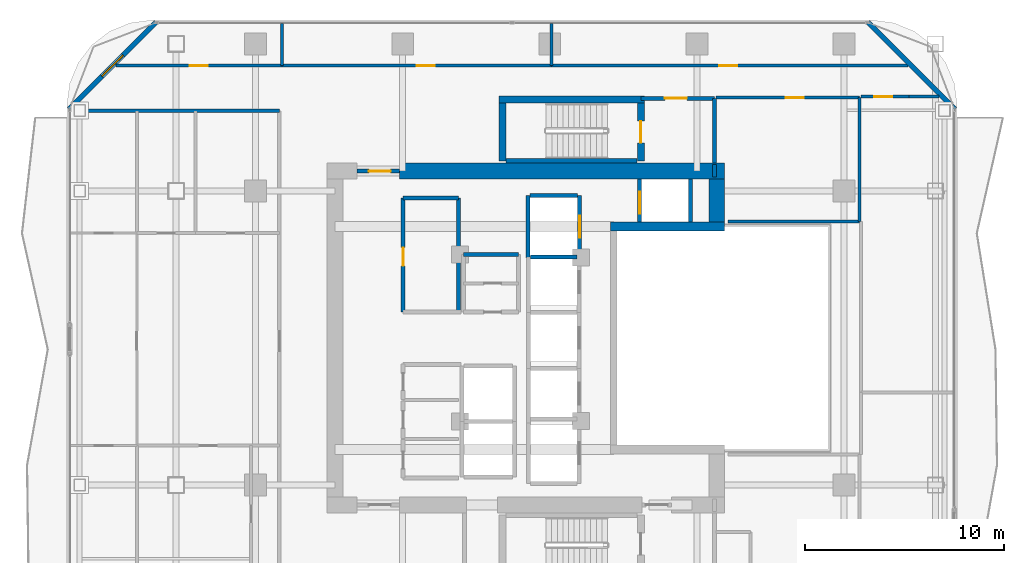
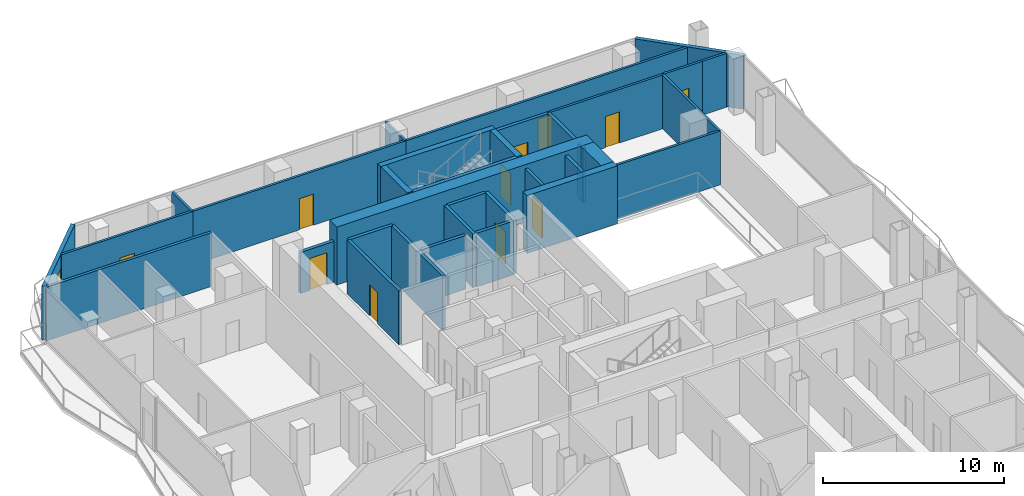
# One storey, part 20 of 24: 34 walls, 11 doors, 1 window, 12 openings.
"""IFC4 building model written with IfcOpenShell, lengths in metres."""

from ifc_helpers import new_model, si_unit, direction, frame, frame_2d, origin, place, context, subcontext, project, spatial, rectangle, extrude, material, layer, layer_set, type_object, element, fill, save


model = new_model("IFC4")

# Units and contexts
model_context = context("Model", 3, precision=1e-05, world=origin(), true_north=direction((0.0, 1.0)))
body_context = subcontext(model_context, "Body", "Model", "MODEL_VIEW")
ifc_project = project(units=[si_unit("LENGTHUNIT", "METRE"), si_unit("AREAUNIT", "SQUARE_METRE"), si_unit("VOLUMEUNIT", "CUBIC_METRE"), si_unit("PLANEANGLEUNIT", "RADIAN"), si_unit("MASSUNIT", "GRAM", prefix="KILO")], contexts=[model_context])

# Site, building, storey
site_placement = place(None, origin())
site = spatial("IfcSite", under=ifc_project, at=site_placement, CompositionType="ELEMENT")
building_placement = place(site_placement, origin())
building = spatial("IfcBuilding", under=site, at=building_placement, Name="Khorvyn Point Tower", CompositionType="ELEMENT")
storey_placement = place(building_placement, frame((0.0, 0.0, 215.699951171875)))
storey = spatial("IfcBuildingStorey", under=building, at=storey_placement, Name="L53", CompositionType="ELEMENT", Elevation=215.699951171875)

# Wall
ifc_material_1 = material(Name="Double acoustic gypsum on twin steel stud", Category="steel")
ifc_layer_1 = layer(ifc_material_1, 0.179931640625)
ifc_layer_set_1 = layer_set([ifc_layer_1], Name="Acoustic Double-Stud Apartment Demising Wall 180")
wall_type_1 = type_object("IfcWallType", Name="Acoustic Double-Stud Apartment Demising Wall 180", PredefinedType="PARTITIONING", material=ifc_layer_set_1)
wall_1_placement = place(storey_placement, frame((-24.1298828125, 11.429931640625, 0.0), z_axis=(0.0, 0.0, 1.0), x_axis=(1.0, 0.0, 0.0)))
element("IfcWall", 1, at=wall_1_placement, inside=storey, type_object=wall_type_1, Name="Wall", PredefinedType="PARTITIONING", context=body_context, shape_type="SweptSolid", body=[
    extrude(rectangle(XDim=10.52978515625, YDim=0.179931640625, at=frame_2d((5.264892578125, 0.0))), origin(), (0.0, 0.0, 1.0), 3.6201171875),
])

# Wall, opening, window
ifc_material_2 = material(Name="Pale anodised aluminium rainscreen on steel stud", Category="steel")
ifc_layer_2 = layer(ifc_material_2, 0.239990234375)
ifc_layer_set_2 = layer_set([ifc_layer_2], Name="Anodised Aluminium Insulated Corner Spandrel Wall 240")
wall_type_2 = type_object("IfcWallType", Name="Anodised Aluminium Insulated Corner Spandrel Wall 240", PredefinedType="SOLIDWALL", material=ifc_layer_set_2)
wall_2_placement = place(storey_placement, frame((-24.1923828125, 11.507568359375, 0.0), z_axis=(0.0, 0.0, 1.0), x_axis=(0.707106781187, 0.707106781187, 0.0)))
wall_2 = element("IfcWall", 2, at=wall_2_placement, inside=storey, type_object=wall_type_2, Name="L53 Rounded Corner Wall NW", PredefinedType="SOLIDWALL", context=body_context, shape_type="SweptSolid", body=[
    extrude(rectangle(XDim=6.200927734375, YDim=0.239990234375, at=frame_2d((3.1005859375, 0.0))), origin(), (0.0, 0.0, 1.0), 3.6201171875),
])
opening_1_placement = place(wall_2_placement, frame((2.3505859375, 0.0, 0.800048828125)))
opening_1 = element("IfcOpeningElement", 3, at=opening_1_placement, cuts=wall_2, Name="Opening WN-1518", PredefinedType="OPENING", context=body_context, shape_type="SweptSolid", body=[
    extrude(rectangle(XDim=1.5, YDim=1.85009765625, at=frame_2d((0.75, 0.925048828125))), frame((0.0, 0.1298828125, 0.0), z_axis=(0.0, -1.0, 0.0), x_axis=(1.0, 0.0, 0.0)), (0.0, 0.0, 1.0), 0.260009765625),
])
ifc_material_3 = material(Name="Anodised aluminium 6063-T6 and laminated Low-E glass", Category="aluminium")
window_type = type_object("IfcWindowType", Name="Anodised Aluminium Rounded-Corner Panoramic Window 1500x1850", PartitioningType="SINGLE_PANEL", PredefinedType="WINDOW", material=ifc_material_3)
window_placement = place(opening_1_placement, origin())
window = element("IfcWindow", 4, at=window_placement, inside=storey, type_object=window_type, Name="L53 Corner Panoramic Window NW", OverallHeight=1.85009765625, OverallWidth=1.5, PartitioningType="SINGLE_PANEL", PredefinedType="WINDOW", context=body_context, shape_type="SweptSolid", body=[
    extrude(rectangle(XDim=1.5, YDim=1.85009765625, at=frame_2d((0.75, 0.925048828125))), frame((0.0, 0.030029296875, 0.0), z_axis=(0.0, -1.0, 0.0), x_axis=(1.0, 0.0, 0.0)), (0.0, 0.0, 1.0), 0.06005859375),
])
fill(opening_1, window)

# Walls
wall_3_placement = place(storey_placement, frame((16.007568359375, 15.892333984375, 0.0), z_axis=(0.0, 0.0, 1.0), x_axis=(0.707106781187, -0.707106781187, 0.0)))
element("IfcWall", 5, at=wall_3_placement, inside=storey, type_object=wall_type_2, Name="L53 Rounded Corner Wall NE", PredefinedType="SOLIDWALL", context=body_context, shape_type="SweptSolid", body=[
    extrude(rectangle(XDim=6.200927734375, YDim=0.239990234375, at=frame_2d((3.1005859375, 0.0))), origin(), (0.0, 0.0, 1.0), 3.6201171875),
])
ifc_material_4 = material(Name="Concrete C40/50", Category="concrete")
ifc_layer_3 = layer(ifc_material_4, 0.449951171875)
ifc_layer_set_3 = layer_set([ifc_layer_3], Name="Concrete C40/50 Core Shear Wall 450")
wall_type_3 = type_object("IfcWallType", Name="Concrete C40/50 Core Shear Wall 450", PredefinedType="SHEAR", material=ifc_layer_set_3)
wall_4_placement = place(storey_placement, frame((3.044921875, 5.60009765625, 0.0), z_axis=(0.0, 0.0, 1.0), x_axis=(1.0, 0.0, 0.0)))
element("IfcWall", 6, at=wall_4_placement, inside=storey, type_object=wall_type_3, Name="Wall", PredefinedType="SHEAR", context=body_context, shape_type="SweptSolid", body=[
    extrude(rectangle(XDim=5.755126953125, YDim=0.449951171875, at=frame_2d((2.87744140625, 0.0))), origin(), (0.0, 0.0, 1.0), 3.900146484375),
])

# Wall, opening, door
ifc_layer_4 = layer(ifc_material_4, 0.199951171875)
ifc_layer_set_4 = layer_set([ifc_layer_4], Name="Concrete C40/50 Fire-Lobby Compartment Wall 200")
wall_type_4 = type_object("IfcWallType", Name="Concrete C40/50 Fire-Lobby Compartment Wall 200", PredefinedType="SOLIDWALL", material=ifc_layer_set_4)
wall_5_placement = place(storey_placement, frame((4.580078125, 12.06005859375, 0.0), z_axis=(0.0, 0.0, 1.0), x_axis=(1.0, 0.0, 0.0)))
wall_5 = element("IfcWall", 7, at=wall_5_placement, inside=storey, type_object=wall_type_4, Name="Wall", PredefinedType="SOLIDWALL", context=body_context, shape_type="SweptSolid", body=[
    extrude(rectangle(XDim=3.699951171875, YDim=0.199951171875, at=frame_2d((1.85009765625, 0.0))), origin(), (0.0, 0.0, 1.0), 3.6201171875),
])
opening_2_placement = place(wall_5_placement, frame((1.21240234375, 0.0, 0.0)))
opening_2 = element("IfcOpeningElement", 8, at=opening_2_placement, cuts=wall_5, Name="Opening ID-FL90", PredefinedType="OPENING", context=body_context, shape_type="SweptSolid", body=[
    extrude(rectangle(XDim=1.10009765625, YDim=2.14990234375, at=frame_2d((0.550048828125, 1.074951171875))), frame((0.0, 0.10986328125, 0.0), z_axis=(0.0, -1.0, 0.0), x_axis=(1.0, 0.0, 0.0)), (0.0, 0.0, 1.0), 0.219970703125),
])
ifc_material_5 = material(Name="Galvanised powder-coated steel", Category="steel")
door_type_1 = type_object("IfcDoorType", Name="Fire-Rated Steel Lobby and Stair Door 1100x2150", OperationType="NOTDEFINED", PredefinedType="DOOR", material=ifc_material_5)
door_1_placement = place(opening_2_placement, origin())
door_1 = element("IfcDoor", 9, at=door_1_placement, inside=storey, type_object=door_type_1, Name="Door", OperationType="SINGLE_SWING_LEFT", OverallHeight=2.14990234375, OverallWidth=1.10009765625, PredefinedType="DOOR", context=body_context, shape_type="SweptSolid", body=[
    extrude(rectangle(XDim=1.10009765625, YDim=2.14990234375, at=frame_2d((0.550048828125, 1.074951171875))), frame((0.0, 0.02490234375, 0.0), z_axis=(0.0, -1.0, 0.0), x_axis=(1.0, 0.0, 0.0)), (0.0, 0.0, 1.0), 0.050048828125),
])
fill(opening_2, door_1)

wall_6_placement = place(storey_placement, frame((-9.699951171875, 8.39990234375, 0.0), z_axis=(0.0, 0.0, 1.0), x_axis=(1.0, 0.0, 0.0)))
wall_6 = element("IfcWall", 10, at=wall_6_placement, inside=storey, type_object=wall_type_4, Name="Wall", PredefinedType="SOLIDWALL", context=body_context, shape_type="SweptSolid", body=[
    extrude(rectangle(XDim=2.14990234375, YDim=0.199951171875, at=frame_2d((1.074951171875, 0.0))), origin(), (0.0, 0.0, 1.0), 2.760009765625),
])
opening_3_placement = place(wall_6_placement, frame((0.597900390625, 0.0, 0.0)))
opening_3 = element("IfcOpeningElement", 11, at=opening_3_placement, cuts=wall_6, Name="Opening ID-FL90", PredefinedType="OPENING", context=body_context, shape_type="SweptSolid", body=[
    extrude(rectangle(XDim=1.10009765625, YDim=2.14990234375, at=frame_2d((0.550048828125, 1.074951171875))), frame((0.0, 0.10986328125, 0.0), z_axis=(0.0, -1.0, 0.0), x_axis=(1.0, 0.0, 0.0)), (0.0, 0.0, 1.0), 0.219970703125),
])
door_2_placement = place(opening_3_placement, origin())
door_2 = element("IfcDoor", 12, at=door_2_placement, inside=storey, type_object=door_type_1, Name="Door", OperationType="SINGLE_SWING_LEFT", OverallHeight=2.14990234375, OverallWidth=1.10009765625, PredefinedType="DOOR", context=body_context, shape_type="SweptSolid", body=[
    extrude(rectangle(XDim=1.10009765625, YDim=2.14990234375, at=frame_2d((0.550048828125, 1.074951171875))), frame((0.0, 0.02490234375, 0.0), z_axis=(0.0, -1.0, 0.0), x_axis=(1.0, 0.0, 0.0)), (0.0, 0.0, 1.0), 0.050048828125),
])
fill(opening_3, door_2)

wall_7_placement = place(storey_placement, frame((-7.3798828125, 1.320068359375, 0.0), z_axis=(0.0, 0.0, 1.0), x_axis=(0.0, 1.0, 0.0)))
wall_7 = element("IfcWall", 13, at=wall_7_placement, inside=storey, type_object=wall_type_4, Name="Wall", PredefinedType="SOLIDWALL", context=body_context, shape_type="SweptSolid", body=[
    extrude(rectangle(XDim=5.719970703125, YDim=0.199951171875, at=frame_2d((2.85986328125, 0.0))), origin(), (0.0, 0.0, 1.0), 3.6201171875),
])
opening_4_placement = place(wall_7_placement, frame((2.310302734375, 0.0, 0.0)))
opening_4 = element("IfcOpeningElement", 14, at=opening_4_placement, cuts=wall_7, Name="Opening ID-RS60", PredefinedType="OPENING", context=body_context, shape_type="SweptSolid", body=[
    extrude(rectangle(XDim=0.919921875, YDim=2.10009765625, at=frame_2d((0.4599609375, 1.050048828125))), frame((0.0, 0.10986328125, 0.0), z_axis=(0.0, -1.0, 0.0), x_axis=(1.0, 0.0, 0.0)), (0.0, 0.0, 1.0), 0.219970703125),
])
door_type_2 = type_object("IfcDoorType", Name="Fire-Rated Riser and Store Steel Door 920x2100", OperationType="NOTDEFINED", PredefinedType="DOOR", material=ifc_material_5)
door_3_placement = place(opening_4_placement, origin())
door_3 = element("IfcDoor", 15, at=door_3_placement, inside=storey, type_object=door_type_2, Name="Door", OperationType="SINGLE_SWING_RIGHT", OverallHeight=2.10009765625, OverallWidth=0.919921875, PredefinedType="DOOR", context=body_context, shape_type="SweptSolid", body=[
    extrude(rectangle(XDim=0.919921875, YDim=2.10009765625, at=frame_2d((0.4599609375, 1.050048828125))), frame((0.0, 0.02490234375, 0.0), z_axis=(0.0, -1.0, 0.0), x_axis=(1.0, 0.0, 0.0)), (0.0, 0.0, 1.0), 0.050048828125),
])
fill(opening_4, door_3)

# Walls
wall_8_placement = place(storey_placement, frame((8.280029296875, 8.800048828125, 0.0), z_axis=(0.0, 0.0, 1.0), x_axis=(0.0, 1.0, 0.0)))
element("IfcWall", 16, at=wall_8_placement, inside=storey, type_object=wall_type_4, Name="Wall", PredefinedType="SOLIDWALL", context=body_context, shape_type="SweptSolid", body=[
    extrude(rectangle(XDim=3.260009765625, YDim=0.199951171875, at=frame_2d((1.6298828125, 0.0))), origin(), (0.0, 0.0, 1.0), 3.6201171875),
])
wall_9_placement = place(storey_placement, frame((-4.35009765625, 4.199951171875, 0.0), z_axis=(0.0, 0.0, 1.0), x_axis=(1.0, 0.0, 0.0)))
element("IfcWall", 17, at=wall_9_placement, inside=storey, type_object=wall_type_4, Name="Wall", PredefinedType="SOLIDWALL", context=body_context, shape_type="SweptSolid", body=[
    extrude(rectangle(XDim=2.77001953125, YDim=0.199951171875, at=frame_2d((1.385009765625, 0.0))), origin(), (0.0, 0.0, 1.0), 3.6201171875),
])
wall_10_placement = place(storey_placement, frame((-4.580078125, 1.320068359375, 0.0), z_axis=(0.0, 0.0, 1.0), x_axis=(0.0, 1.0, 0.0)))
element("IfcWall", 18, at=wall_10_placement, inside=storey, type_object=wall_type_4, Name="Wall", PredefinedType="SOLIDWALL", context=body_context, shape_type="SweptSolid", body=[
    extrude(rectangle(XDim=5.719970703125, YDim=0.199951171875, at=frame_2d((2.85986328125, 0.0))), origin(), (0.0, 0.0, 1.0), 3.6201171875),
])
wall_11_placement = place(storey_placement, frame((-7.3798828125, 7.0400390625, 0.0), z_axis=(0.0, 0.0, 1.0), x_axis=(1.0, 0.0, 0.0)))
element("IfcWall", 19, at=wall_11_placement, inside=storey, type_object=wall_type_4, Name="Wall", PredefinedType="SOLIDWALL", context=body_context, shape_type="SweptSolid", body=[
    extrude(rectangle(XDim=2.7998046875, YDim=0.199951171875, at=frame_2d((1.39990234375, 0.0))), origin(), (0.0, 0.0, 1.0), 3.6201171875),
])
wall_12_placement = place(storey_placement, frame((8.280029296875, 8.10009765625, 0.0), z_axis=(0.0, 0.0, 1.0), x_axis=(0.0, 1.0, 0.0)))
element("IfcWall", 20, at=wall_12_placement, inside=storey, type_object=wall_type_4, Name="Wall", PredefinedType="SOLIDWALL", context=body_context, shape_type="SweptSolid", body=[
    extrude(rectangle(XDim=0.625, YDim=0.199951171875, at=frame_2d((0.3125, 0.0))), origin(), (0.0, 0.0, 1.0), 3.6201171875),
])
ifc_layer_5 = layer(ifc_material_4, 0.25)
ifc_layer_set_5 = layer_set([ifc_layer_5], Name="Concrete C40/50 Stair Inner Cheek Structural Wall 250")
wall_type_5 = type_object("IfcWallType", Name="Concrete C40/50 Stair Inner Cheek Structural Wall 250", PredefinedType="SHEAR", material=ifc_layer_set_5)
wall_13_placement = place(storey_placement, frame((-2.199951171875, 8.91259765625, 0.0), z_axis=(0.0, 0.0, 1.0), x_axis=(1.0, 0.0, 0.0)))
element("IfcWall", 21, at=wall_13_placement, inside=storey, type_object=wall_type_5, Name="Wall", PredefinedType="SHEAR", context=body_context, shape_type="SweptSolid", body=[
    extrude(rectangle(XDim=6.599853515625, YDim=0.22509765625, at=frame_2d((3.2998046875, 0.0))), origin(), (0.0, 0.0, 1.0), 3.900146484375),
])
ifc_layer_6 = layer(ifc_material_4, 0.35009765625)
ifc_layer_set_6 = layer_set([ifc_layer_6], Name="Concrete C40/50 Stair Shaft Structural Wall 350")
wall_type_6 = type_object("IfcWallType", Name="Concrete C40/50 Stair Shaft Structural Wall 350", PredefinedType="SHEAR", material=ifc_layer_set_6)
wall_14_placement = place(storey_placement, frame((-2.554931640625, 12.0, 0.0), z_axis=(0.0, 0.0, 1.0), x_axis=(1.0, 0.0, 0.0)))
element("IfcWall", 22, at=wall_14_placement, inside=storey, type_object=wall_type_6, Name="L53 ST-02 North Shaft Wall", PredefinedType="SHEAR", context=body_context, shape_type="SweptSolid", body=[
    extrude(rectangle(XDim=7.309814453125, YDim=0.35009765625, at=frame_2d((3.65478515625, 0.0))), origin(), (0.0, 0.0, 1.0), 3.900146484375),
])
wall_15_placement = place(storey_placement, frame((-2.3798828125, 8.89990234375, 0.0), z_axis=(0.0, 0.0, 1.0), x_axis=(0.0, 1.0, 0.0)))
element("IfcWall", 23, at=wall_15_placement, inside=storey, type_object=wall_type_6, Name="L53 ST-02 West Shaft Wall", PredefinedType="SHEAR", context=body_context, shape_type="SweptSolid", body=[
    extrude(rectangle(XDim=2.925048828125, YDim=0.35009765625, at=frame_2d((1.46240234375, 0.0))), origin(), (0.0, 0.0, 1.0), 3.900146484375),
])

# Wall, opening, door
wall_16_placement = place(storey_placement, frame((4.580078125, 11.824951171875, 0.0), z_axis=(0.0, 0.0, 1.0), x_axis=(0.0, -1.0, 0.0)))
wall_16 = element("IfcWall", 24, at=wall_16_placement, inside=storey, type_object=wall_type_6, Name="L53 ST-02 East Landing Door Wall", PredefinedType="SHEAR", context=body_context, shape_type="SweptSolid", body=[
    extrude(rectangle(XDim=2.925048828125, YDim=0.35009765625, at=frame_2d((1.46240234375, 0.0))), origin(), (0.0, 0.0, 1.0), 3.900146484375),
])
opening_5_placement = place(wall_16_placement, frame((0.91259765625, 0.0, 0.0)))
opening_5 = element("IfcOpeningElement", 25, at=opening_5_placement, cuts=wall_16, Name="Opening ID-FL90", PredefinedType="OPENING", context=body_context, shape_type="SweptSolid", body=[
    extrude(rectangle(XDim=1.10009765625, YDim=2.14990234375, at=frame_2d((0.550048828125, 1.074951171875))), frame((0.0, 0.18505859375, 0.0), z_axis=(0.0, -1.0, 0.0), x_axis=(1.0, 0.0, 0.0)), (0.0, 0.0, 1.0), 0.3701171875),
])
door_4_placement = place(opening_5_placement, origin())
door_4 = element("IfcDoor", 26, at=door_4_placement, inside=storey, type_object=door_type_1, Name="L53 ST-02 Smokeproof Landing Door", OperationType="SINGLE_SWING_RIGHT", OverallHeight=2.14990234375, OverallWidth=1.10009765625, PredefinedType="DOOR", context=body_context, shape_type="SweptSolid", body=[
    extrude(rectangle(XDim=1.10009765625, YDim=2.14990234375, at=frame_2d((0.550048828125, 1.074951171875))), frame((0.0, 0.02490234375, 0.0), z_axis=(0.0, -1.0, 0.0), x_axis=(1.0, 0.0, 0.0)), (0.0, 0.0, 1.0), 0.050048828125),
])
fill(opening_5, door_4)

# Walls
ifc_layer_7 = layer(ifc_material_4, 0.199951171875)
ifc_layer_set_7 = layer_set([ifc_layer_7], Name="Concrete C40/50 Structural Hoistway and Stair Shaft Wall 200")
wall_type_7 = type_object("IfcWallType", Name="Concrete C40/50 Structural Hoistway and Stair Shaft Wall 200", PredefinedType="SHEAR", material=ifc_layer_set_7)
wall_17_placement = place(storey_placement, frame((-0.97509765625, 4.074951171875, 0.0), z_axis=(0.0, 0.0, 1.0), x_axis=(1.0, 0.0, 0.0)))
element("IfcWall", 27, at=wall_17_placement, inside=storey, type_object=wall_type_7, Name="Wall", PredefinedType="SHEAR", context=body_context, shape_type="SweptSolid", body=[
    extrude(rectangle(XDim=2.35009765625, YDim=0.199951171875, at=frame_2d((1.175048828125, 0.0))), origin(), (0.0, 0.0, 1.0), 3.6201171875),
])
wall_18_placement = place(storey_placement, frame((-1.10009765625, 4.02490234375, 0.0), z_axis=(0.0, 0.0, 1.0), x_axis=(0.0, 1.0, 0.0)))
element("IfcWall", 28, at=wall_18_placement, inside=storey, type_object=wall_type_7, Name="Wall", PredefinedType="SHEAR", context=body_context, shape_type="SweptSolid", body=[
    extrude(rectangle(XDim=3.150146484375, YDim=0.199951171875, at=frame_2d((1.5751953125, 0.0))), origin(), (0.0, 0.0, 1.0), 3.6201171875),
])

# Wall, opening, door
wall_19_placement = place(storey_placement, frame((1.5, 4.02490234375, 0.0), z_axis=(0.0, 0.0, 1.0), x_axis=(0.0, 1.0, 0.0)))
wall_19 = element("IfcWall", 29, at=wall_19_placement, inside=storey, type_object=wall_type_7, Name="Wall", PredefinedType="SHEAR", context=body_context, shape_type="SweptSolid", body=[
    extrude(rectangle(XDim=3.150146484375, YDim=0.199951171875, at=frame_2d((1.5751953125, 0.0))), origin(), (0.0, 0.0, 1.0), 3.6201171875),
])
opening_6_placement = place(wall_19_placement, frame((1.02490234375, 0.0, 0.0)))
opening_6 = element("IfcOpeningElement", 30, at=opening_6_placement, cuts=wall_19, Name="Opening LD-1122", PredefinedType="OPENING", context=body_context, shape_type="SweptSolid", body=[
    extrude(rectangle(XDim=1.10009765625, YDim=2.199951171875, at=frame_2d((0.550048828125, 1.10009765625))), frame((0.0, 0.10986328125, 0.0), z_axis=(0.0, -1.0, 0.0), x_axis=(1.0, 0.0, 0.0)), (0.0, 0.0, 1.0), 0.219970703125),
])
ifc_material_6 = material(Name="Stainless steel 1.4301", Category="steel")
door_type_3 = type_object("IfcDoorType", Name="Stainless Steel Automatic Sliding Lift Landing Door 1100x2200", OperationType="SLIDING_TO_LEFT", PredefinedType="DOOR", material=ifc_material_6)
door_5_placement = place(opening_6_placement, origin())
door_5 = element("IfcDoor", 31, at=door_5_placement, inside=storey, type_object=door_type_3, Name="L53 SV-01 Sliding Lift Landing Door", OperationType="SLIDING_TO_LEFT", OverallHeight=2.199951171875, OverallWidth=1.10009765625, PredefinedType="DOOR", context=body_context, shape_type="SweptSolid", body=[
    extrude(rectangle(XDim=1.10009765625, YDim=2.199951171875, at=frame_2d((0.550048828125, 1.10009765625))), frame((0.0, 0.02490234375, 0.0), z_axis=(0.0, -1.0, 0.0), x_axis=(1.0, 0.0, 0.0)), (0.0, 0.0, 1.0), 0.050048828125),
])
fill(opening_6, door_5)

# Wall
wall_20_placement = place(storey_placement, frame((-1.0, 7.175048828125, 0.0), z_axis=(0.0, 0.0, 1.0), x_axis=(1.0, 0.0, 0.0)))
element("IfcWall", 32, at=wall_20_placement, inside=storey, type_object=wall_type_7, Name="Wall", PredefinedType="SHEAR", context=body_context, shape_type="SweptSolid", body=[
    extrude(rectangle(XDim=2.39990234375, YDim=0.199951171875, at=frame_2d((1.199951171875, 0.0))), origin(), (0.0, 0.0, 1.0), 3.6201171875),
])

# Wall, opening, door
wall_21_placement = place(storey_placement, frame((4.52490234375, 5.824951171875, 0.0), z_axis=(0.0, 0.0, 1.0), x_axis=(0.0, 1.0, 0.0)))
wall_21 = element("IfcWall", 33, at=wall_21_placement, inside=storey, type_object=wall_type_7, Name="Wall", PredefinedType="SHEAR", context=body_context, shape_type="SweptSolid", body=[
    extrude(rectangle(XDim=2.175048828125, YDim=0.199951171875, at=frame_2d((1.08740234375, 0.0))), origin(), (0.0, 0.0, 1.0), 3.6201171875),
])
opening_7_placement = place(wall_21_placement, frame((0.425048828125, 0.0, 0.0)))
opening_7 = element("IfcOpeningElement", 34, at=opening_7_placement, cuts=wall_21, Name="Opening LD-1122", PredefinedType="OPENING", context=body_context, shape_type="SweptSolid", body=[
    extrude(rectangle(XDim=1.10009765625, YDim=2.199951171875, at=frame_2d((0.550048828125, 1.10009765625))), frame((0.0, 0.10986328125, 0.0), z_axis=(0.0, -1.0, 0.0), x_axis=(1.0, 0.0, 0.0)), (0.0, 0.0, 1.0), 0.219970703125),
])
door_6_placement = place(opening_7_placement, origin())
door_6 = element("IfcDoor", 35, at=door_6_placement, inside=storey, type_object=door_type_3, Name="L53 FF-02 Sliding Lift Landing Door", OperationType="SLIDING_TO_LEFT", OverallHeight=2.199951171875, OverallWidth=1.10009765625, PredefinedType="DOOR", context=body_context, shape_type="SweptSolid", body=[
    extrude(rectangle(XDim=1.10009765625, YDim=2.199951171875, at=frame_2d((0.550048828125, 1.10009765625))), frame((0.0, 0.02490234375, 0.0), z_axis=(0.0, -1.0, 0.0), x_axis=(1.0, 0.0, 0.0)), (0.0, 0.0, 1.0), 0.050048828125),
])
fill(opening_7, door_6)

# Walls
wall_22_placement = place(storey_placement, frame((7.074951171875, 5.824951171875, 0.0), z_axis=(0.0, 0.0, 1.0), x_axis=(0.0, 1.0, 0.0)))
element("IfcWall", 36, at=wall_22_placement, inside=storey, type_object=wall_type_7, Name="Wall", PredefinedType="SHEAR", context=body_context, shape_type="SweptSolid", body=[
    extrude(rectangle(XDim=2.175048828125, YDim=0.199951171875, at=frame_2d((1.08740234375, 0.0))), origin(), (0.0, 0.0, 1.0), 3.6201171875),
])
ifc_material_7 = material(Name="Concrete C45/55", Category="concrete")
ifc_layer_8 = layer(ifc_material_7, 0.800048828125)
ifc_layer_set_8 = layer_set([ifc_layer_8], Name="Concrete C45/55 Core Shear Wall 800")
wall_type_8 = type_object("IfcWallType", Name="Concrete C45/55 Core Shear Wall 800", PredefinedType="SHEAR", material=ifc_layer_set_8)
wall_23_placement = place(storey_placement, frame((-7.550048828125, 8.39990234375, 0.0), z_axis=(0.0, 0.0, 1.0), x_axis=(1.0, 0.0, 0.0)))
element("IfcWall", 37, at=wall_23_placement, inside=storey, type_object=wall_type_8, Name="Wall", PredefinedType="SHEAR", context=body_context, shape_type="SweptSolid", body=[
    extrude(rectangle(XDim=16.35009765625, YDim=0.800048828125, at=frame_2d((8.175048828125, 0.0))), origin(), (0.0, 0.0, 1.0), 3.900146484375),
])
wall_24_placement = place(storey_placement, frame((8.39990234375, 5.824951171875, 0.0), z_axis=(0.0, 0.0, 1.0), x_axis=(0.0, 1.0, 0.0)))
element("IfcWall", 38, at=wall_24_placement, inside=storey, type_object=wall_type_8, Name="Wall", PredefinedType="SHEAR", context=body_context, shape_type="SweptSolid", body=[
    extrude(rectangle(XDim=2.175048828125, YDim=0.800048828125, at=frame_2d((1.08740234375, 0.0))), origin(), (0.0, 0.0, 1.0), 3.900146484375),
])

# Wall, opening, door
ifc_material_8 = material(Name="Moisture-resistant gypsum and cement board", Category="gypsum")
ifc_layer_9 = layer(ifc_material_8, 0.14990234375)
ifc_layer_set_9 = layer_set([ifc_layer_9], Name="Moisture-Resistant Wet-Room Partition Wall 150")
wall_type_9 = type_object("IfcWallType", Name="Moisture-Resistant Wet-Room Partition Wall 150", PredefinedType="PARTITIONING", material=ifc_layer_set_9)
wall_25_placement = place(storey_placement, frame((8.360107421875, 12.10009765625, 0.0), z_axis=(0.0, 0.0, 1.0), x_axis=(1.0, 0.0, 0.0)))
wall_25 = element("IfcWall", 39, at=wall_25_placement, inside=storey, type_object=wall_type_9, Name="Wall", PredefinedType="PARTITIONING", context=body_context, shape_type="SweptSolid", body=[
    extrude(rectangle(XDim=7.219970703125, YDim=0.14990234375, at=frame_2d((3.60986328125, 0.0))), origin(), (0.0, 0.0, 1.0), 3.6201171875),
])
opening_8_placement = place(wall_25_placement, frame((3.512939453125, 0.0, 0.0)))
opening_8 = element("IfcOpeningElement", 40, at=opening_8_placement, cuts=wall_25, Name="Opening ID-RM90", PredefinedType="OPENING", context=body_context, shape_type="SweptSolid", body=[
    extrude(rectangle(XDim=0.89990234375, YDim=2.10009765625, at=frame_2d((0.449951171875, 1.050048828125))), frame((0.0, 0.0849609375, 0.0), z_axis=(0.0, -1.0, 0.0), x_axis=(1.0, 0.0, 0.0)), (0.0, 0.0, 1.0), 0.169921875),
])
ifc_material_9 = material(Name="Engineered oak veneer timber", Category="wood")
door_type_4 = type_object("IfcDoorType", Name="Flush Engineered Timber Room Door 900x2100", OperationType="NOTDEFINED", PredefinedType="DOOR", material=ifc_material_9)
door_7_placement = place(opening_8_placement, origin())
door_7 = element("IfcDoor", 41, at=door_7_placement, inside=storey, type_object=door_type_4, Name="Door", OperationType="SINGLE_SWING_LEFT", OverallHeight=2.10009765625, OverallWidth=0.89990234375, PredefinedType="DOOR", context=body_context, shape_type="SweptSolid", body=[
    extrude(rectangle(XDim=0.89990234375, YDim=2.10009765625, at=frame_2d((0.449951171875, 1.050048828125))), frame((0.0, 0.02490234375, 0.0), z_axis=(0.0, -1.0, 0.0), x_axis=(1.0, 0.0, 0.0)), (0.0, 0.0, 1.0), 0.050048828125),
])
fill(opening_8, door_7)

wall_26_placement = place(storey_placement, frame((-21.830078125, 13.699951171875, 0.0), z_axis=(0.0, 0.0, 1.0), x_axis=(1.0, 0.0, 0.0)))
wall_26 = element("IfcWall", 42, at=wall_26_placement, inside=storey, type_object=wall_type_9, Name="Wall", PredefinedType="PARTITIONING", context=body_context, shape_type="SweptSolid", body=[
    extrude(rectangle(XDim=8.34716796875, YDim=0.14990234375, at=frame_2d((4.173583984375, 0.0))), origin(), (0.0, 0.0, 1.0), 3.6201171875),
])
opening_9_placement = place(wall_26_placement, frame((3.723388671875, 0.0, 0.0)))
opening_9 = element("IfcOpeningElement", 43, at=opening_9_placement, cuts=wall_26, Name="Opening ID-RM90", PredefinedType="OPENING", context=body_context, shape_type="SweptSolid", body=[
    extrude(rectangle(XDim=0.89990234375, YDim=2.10009765625, at=frame_2d((0.449951171875, 1.050048828125))), frame((0.0, 0.0849609375, 0.0), z_axis=(0.0, -1.0, 0.0), x_axis=(1.0, 0.0, 0.0)), (0.0, 0.0, 1.0), 0.169921875),
])
door_8_placement = place(opening_9_placement, origin())
door_8 = element("IfcDoor", 44, at=door_8_placement, inside=storey, type_object=door_type_4, Name="Door", OperationType="SINGLE_SWING_RIGHT", OverallHeight=2.10009765625, OverallWidth=0.89990234375, PredefinedType="DOOR", context=body_context, shape_type="SweptSolid", body=[
    extrude(rectangle(XDim=0.89990234375, YDim=2.10009765625, at=frame_2d((0.449951171875, 1.050048828125))), frame((0.0, 0.02490234375, 0.0), z_axis=(0.0, -1.0, 0.0), x_axis=(1.0, 0.0, 0.0)), (0.0, 0.0, 1.0), 0.050048828125),
])
fill(opening_9, door_8)

wall_27_placement = place(storey_placement, frame((-13.48291015625, 13.699951171875, 0.0), z_axis=(0.0, 0.0, 1.0), x_axis=(1.0, 0.0, 0.0)))
wall_27 = element("IfcWall", 45, at=wall_27_placement, inside=storey, type_object=wall_type_9, Name="Wall", PredefinedType="PARTITIONING", context=body_context, shape_type="SweptSolid", body=[
    extrude(rectangle(XDim=13.579833984375, YDim=0.14990234375, at=frame_2d((6.7900390625, 0.0))), origin(), (0.0, 0.0, 1.0), 3.6201171875),
])
opening_10_placement = place(wall_27_placement, frame((6.787841796875, 0.0, 0.0)))
opening_10 = element("IfcOpeningElement", 46, at=opening_10_placement, cuts=wall_27, Name="Opening ID-RM90", PredefinedType="OPENING", context=body_context, shape_type="SweptSolid", body=[
    extrude(rectangle(XDim=0.89990234375, YDim=2.10009765625, at=frame_2d((0.449951171875, 1.050048828125))), frame((0.0, 0.0849609375, 0.0), z_axis=(0.0, -1.0, 0.0), x_axis=(1.0, 0.0, 0.0)), (0.0, 0.0, 1.0), 0.169921875),
])
door_9_placement = place(opening_10_placement, origin())
door_9 = element("IfcDoor", 47, at=door_9_placement, inside=storey, type_object=door_type_4, Name="Door", OperationType="SINGLE_SWING_LEFT", OverallHeight=2.10009765625, OverallWidth=0.89990234375, PredefinedType="DOOR", context=body_context, shape_type="SweptSolid", body=[
    extrude(rectangle(XDim=0.89990234375, YDim=2.10009765625, at=frame_2d((0.449951171875, 1.050048828125))), frame((0.0, 0.02490234375, 0.0), z_axis=(0.0, -1.0, 0.0), x_axis=(1.0, 0.0, 0.0)), (0.0, 0.0, 1.0), 0.050048828125),
])
fill(opening_10, door_9)

wall_28_placement = place(storey_placement, frame((0.096923828125, 13.699951171875, 0.0), z_axis=(0.0, 0.0, 1.0), x_axis=(1.0, 0.0, 0.0)))
wall_28 = element("IfcWall", 48, at=wall_28_placement, inside=storey, type_object=wall_type_9, Name="Wall", PredefinedType="PARTITIONING", context=body_context, shape_type="SweptSolid", body=[
    extrude(rectangle(XDim=17.93310546875, YDim=0.14990234375, at=frame_2d((8.966552734375, 0.0))), origin(), (0.0, 0.0, 1.0), 3.6201171875),
])
opening_11_placement = place(wall_28_placement, frame((8.426513671875, 0.0, 0.0)))
opening_11 = element("IfcOpeningElement", 49, at=opening_11_placement, cuts=wall_28, Name="Opening ID-RM90", PredefinedType="OPENING", context=body_context, shape_type="SweptSolid", body=[
    extrude(rectangle(XDim=0.89990234375, YDim=2.10009765625, at=frame_2d((0.449951171875, 1.050048828125))), frame((0.0, 0.0849609375, 0.0), z_axis=(0.0, -1.0, 0.0), x_axis=(1.0, 0.0, 0.0)), (0.0, 0.0, 1.0), 0.169921875),
])
door_10_placement = place(opening_11_placement, origin())
door_10 = element("IfcDoor", 50, at=door_10_placement, inside=storey, type_object=door_type_4, Name="Door", OperationType="SINGLE_SWING_RIGHT", OverallHeight=2.10009765625, OverallWidth=0.89990234375, PredefinedType="DOOR", context=body_context, shape_type="SweptSolid", body=[
    extrude(rectangle(XDim=0.89990234375, YDim=2.10009765625, at=frame_2d((0.449951171875, 1.050048828125))), frame((0.0, 0.02490234375, 0.0), z_axis=(0.0, -1.0, 0.0), x_axis=(1.0, 0.0, 0.0)), (0.0, 0.0, 1.0), 0.050048828125),
])
fill(opening_11, door_10)

wall_29_placement = place(storey_placement, frame((15.64990234375, 12.139892578125, 0.0), z_axis=(0.0, 0.0, 1.0), x_axis=(1.0, 0.0, 0.0)))
wall_29 = element("IfcWall", 51, at=wall_29_placement, inside=storey, type_object=wall_type_9, Name="Wall", PredefinedType="PARTITIONING", context=body_context, shape_type="SweptSolid", body=[
    extrude(rectangle(XDim=2.420166015625, YDim=0.14990234375, at=frame_2d((1.2099609375, 0.0))), origin(), (0.0, 0.0, 1.0), 3.6201171875),
])
opening_12_placement = place(wall_29_placement, frame((0.67431640625, 0.0, 0.0)))
opening_12 = element("IfcOpeningElement", 52, at=opening_12_placement, cuts=wall_29, Name="Opening ID-RM90", PredefinedType="OPENING", context=body_context, shape_type="SweptSolid", body=[
    extrude(rectangle(XDim=0.89990234375, YDim=2.10009765625, at=frame_2d((0.449951171875, 1.050048828125))), frame((0.0, 0.0849609375, 0.0), z_axis=(0.0, -1.0, 0.0), x_axis=(1.0, 0.0, 0.0)), (0.0, 0.0, 1.0), 0.169921875),
])
door_11_placement = place(opening_12_placement, origin())
door_11 = element("IfcDoor", 53, at=door_11_placement, inside=storey, type_object=door_type_4, Name="Door", OperationType="SINGLE_SWING_LEFT", OverallHeight=2.10009765625, OverallWidth=0.89990234375, PredefinedType="DOOR", context=body_context, shape_type="SweptSolid", body=[
    extrude(rectangle(XDim=0.89990234375, YDim=2.10009765625, at=frame_2d((0.449951171875, 1.050048828125))), frame((0.0, 0.02490234375, 0.0), z_axis=(0.0, -1.0, 0.0), x_axis=(1.0, 0.0, 0.0)), (0.0, 0.0, 1.0), 0.050048828125),
])
fill(opening_12, door_11)

# Walls
wall_30_placement = place(storey_placement, frame((15.580078125, 5.85009765625, 0.0), z_axis=(0.0, 0.0, 1.0), x_axis=(0.0, 1.0, 0.0)))
element("IfcWall", 54, at=wall_30_placement, inside=storey, type_object=wall_type_9, Name="Wall", PredefinedType="PARTITIONING", context=body_context, shape_type="SweptSolid", body=[
    extrude(rectangle(XDim=6.25, YDim=0.14990234375, at=frame_2d((3.125, 0.0))), origin(), (0.0, 0.0, 1.0), 3.6201171875),
])
wall_31_placement = place(storey_placement, frame((8.9599609375, 5.85009765625, 0.0), z_axis=(0.0, 0.0, 1.0), x_axis=(1.0, 0.0, 0.0)))
element("IfcWall", 55, at=wall_31_placement, inside=storey, type_object=wall_type_9, Name="Wall", PredefinedType="PARTITIONING", context=body_context, shape_type="SweptSolid", body=[
    extrude(rectangle(XDim=6.6201171875, YDim=0.14990234375, at=frame_2d((3.31005859375, 0.0))), origin(), (0.0, 0.0, 1.0), 3.6201171875),
])
for number, where, z_axis, x_axis, name in (
    (56, (-13.48291015625, 13.699951171875, 0.0), (0.0, 0.0, 1.0), (0.0, 1.0, 0.0), "Wall"),
    (57, (0.096923828125, 13.699951171875, 0.0), (0.0, 0.0, 1.0), (0.0, 1.0, 0.0), "Wall"),
):
    element("IfcWall", number, at=place(storey_placement, frame(where, z_axis=z_axis, x_axis=x_axis)), inside=storey, type_object=wall_type_9, Name=name, PredefinedType="PARTITIONING", context=body_context, shape_type="SweptSolid", body=[
        extrude(rectangle(XDim=2.130126953125, YDim=0.14990234375, at=frame_2d((1.06494140625, 0.0))), origin(), (0.0, 0.0, 1.0), 3.6201171875),
    ])
wall_32_placement = place(storey_placement, frame((18.070068359375, 12.139892578125, 0.0), z_axis=(0.0, 0.0, 1.0), x_axis=(1.0, 0.0, 0.0)))
element("IfcWall", 58, at=wall_32_placement, inside=storey, type_object=wall_type_9, Name="Wall", PredefinedType="PARTITIONING", context=body_context, shape_type="SweptSolid", body=[
    extrude(rectangle(XDim=1.52001953125, YDim=0.14990234375, at=frame_2d((0.760009765625, 0.0))), origin(), (0.0, 0.0, 1.0), 3.6201171875),
])

save(model, "model.ifc")
